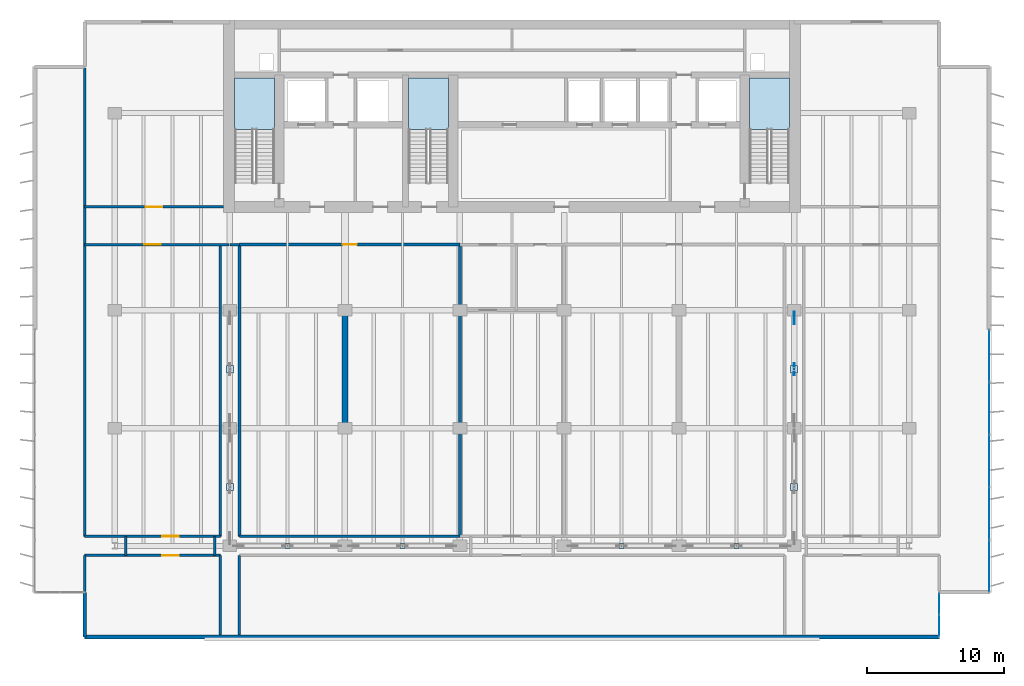
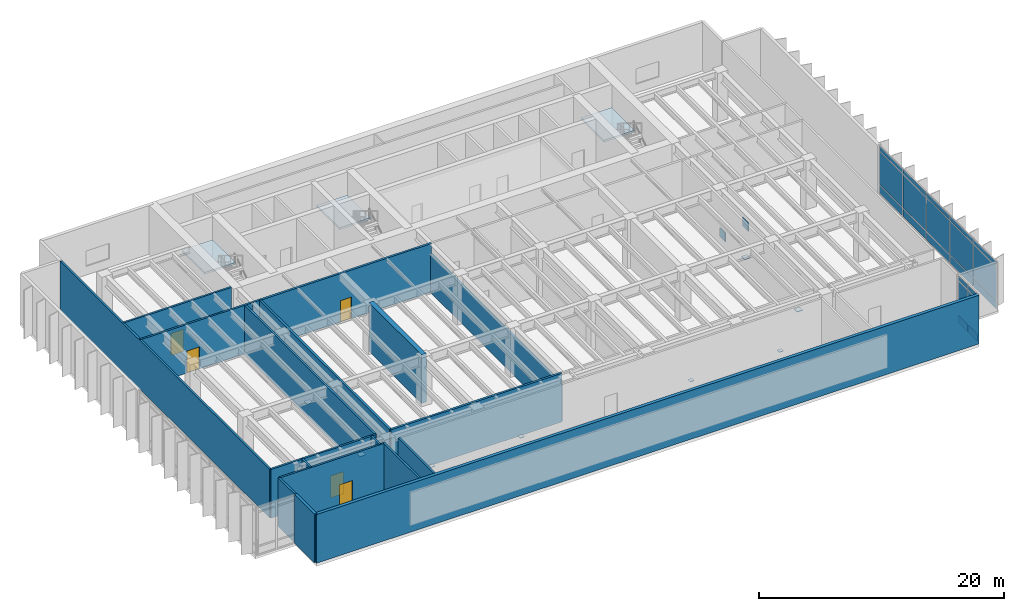
# One storey, part 12 of 18: 31 plates, 19 walls, 5 doors, 3 slabs, 5 openings, 5 elements without a shape of their own.
"""IFC4 building model written with IfcOpenShell, lengths in metres."""

from ifc_helpers import new_model, si_unit, direction, frame, frame_2d, origin, origin_2d, place, context, subcontext, project, spatial, polyline, rectangle, outline, extrude, material, layer, layer_set, type_object, element, fill, aggregate, save


model = new_model("IFC4")

# Units and contexts
model_context = context("Model", 3, precision=1e-05, world=origin(), true_north=direction((0.0, 1.0)))
body_context = subcontext(model_context, "Body", "Model", "MODEL_VIEW")
ifc_project = project(units=[si_unit("LENGTHUNIT", "METRE"), si_unit("AREAUNIT", "SQUARE_METRE"), si_unit("VOLUMEUNIT", "CUBIC_METRE"), si_unit("PLANEANGLEUNIT", "RADIAN"), si_unit("MASSUNIT", "GRAM", prefix="KILO")], contexts=[model_context])

# Site, building, storey
site_placement = place(None, origin())
site = spatial("IfcSite", under=ifc_project, at=site_placement, CompositionType="ELEMENT")
building_placement = place(site_placement, origin())
building = spatial("IfcBuilding", under=site, at=building_placement, Name="Caelmar Bay Residences", CompositionType="ELEMENT")
storey_placement = place(building_placement, frame((0.0, 0.0, 152.10009765625)))
storey = spatial("IfcBuildingStorey", under=building, at=storey_placement, Name="L42", CompositionType="ELEMENT", Elevation=152.10009765625)

# Curtain wall, plates
ifc_material_1 = material(Name="Anodised bronze aluminium 6063-T6 and laminated glass", Category="aluminium")
ifc_layer_1 = layer(ifc_material_1, 0.179931640625)
ifc_layer_set_1 = layer_set([ifc_layer_1], Name="Anodised bronze aluminium 6063-T6 and laminated glass")
curtain_wall_type_1 = type_object("IfcCurtainWallType", Name="CW6-NTC", PredefinedType="NOTDEFINED", material=ifc_layer_set_1)
curtain_wall_1_placement = place(storey_placement, origin())
curtain_wall_1 = element("IfcCurtainWall", 1, at=curtain_wall_1_placement, inside=storey, type_object=curtain_wall_type_1, Name="CW6 curtain wall L42", PredefinedType="NOTDEFINED")
ifc_material_2 = material(Name="Bronze-tinted laminated low-E hurricane glass 28 mm", Category="glass")
ifc_layer_2 = layer(ifc_material_2, 0.028076171875)
ifc_layer_set_2 = layer_set([ifc_layer_2], Name="Bronze-tinted laminated low-E hurricane glass 28 mm")
plate_type_1 = type_object("IfcPlateType", Name="CWP-GLZ28", PredefinedType="CURTAIN_PANEL", material=ifc_layer_set_2)
plate_1_placement = place(storey_placement, frame((70.10009765625, 6.382568359375, 0.080078125), z_axis=(0.0, 0.0, 1.0), x_axis=(0.0, 1.0, 0.0)))
plate_1 = element("IfcPlate", 2, at=plate_1_placement, type_object=plate_type_1, Name="CW6 panel 1.1", PredefinedType="CURTAIN_PANEL", context=body_context, shape_type="SweptSolid", body=[
    extrude(rectangle(XDim=1.5048828125, YDim=0.028076171875, at=origin_2d()), origin(), (0.0, 0.0, 1.0), 0.780029296875),
])
plate_2_placement = place(storey_placement, frame((70.10009765625, 6.382568359375, 0.93994140625), z_axis=(0.0, 0.0, 1.0), x_axis=(0.0, 1.0, 0.0)))
plate_2 = element("IfcPlate", 3, at=plate_2_placement, type_object=plate_type_1, Name="CW6 panel 1.2", PredefinedType="CURTAIN_PANEL", context=body_context, shape_type="SweptSolid", body=[
    extrude(rectangle(XDim=1.5048828125, YDim=0.028076171875, at=origin_2d()), origin(), (0.0, 0.0, 1.0), 3.320068359375),
])
plate_3_placement = place(storey_placement, frame((70.10009765625, 6.382568359375, 4.33984375), z_axis=(0.0, 0.0, 1.0), x_axis=(0.0, 1.0, 0.0)))
plate_3 = element("IfcPlate", 4, at=plate_3_placement, type_object=plate_type_1, Name="CW6 panel 1.3", PredefinedType="CURTAIN_PANEL", context=body_context, shape_type="SweptSolid", body=[
    extrude(rectangle(XDim=1.5048828125, YDim=0.028076171875, at=origin_2d()), origin(), (0.0, 0.0, 1.0), 0.429931640625),
])
plate_4_placement = place(storey_placement, frame((70.10009765625, 7.967529296875, 0.080078125), z_axis=(0.0, 0.0, 1.0), x_axis=(0.0, 1.0, 0.0)))
plate_4 = element("IfcPlate", 5, at=plate_4_placement, type_object=plate_type_1, Name="CW6 panel 2.1", PredefinedType="CURTAIN_PANEL", context=body_context, shape_type="SweptSolid", body=[
    extrude(rectangle(XDim=1.5048828125, YDim=0.028076171875, at=origin_2d()), origin(), (0.0, 0.0, 1.0), 0.780029296875),
])
plate_5_placement = place(storey_placement, frame((70.10009765625, 7.967529296875, 0.93994140625), z_axis=(0.0, 0.0, 1.0), x_axis=(0.0, 1.0, 0.0)))
plate_5 = element("IfcPlate", 6, at=plate_5_placement, type_object=plate_type_1, Name="CW6 panel 2.2", PredefinedType="CURTAIN_PANEL", context=body_context, shape_type="SweptSolid", body=[
    extrude(rectangle(XDim=1.5048828125, YDim=0.028076171875, at=origin_2d()), origin(), (0.0, 0.0, 1.0), 3.320068359375),
])
plate_6_placement = place(storey_placement, frame((70.10009765625, 7.967529296875, 4.33984375), z_axis=(0.0, 0.0, 1.0), x_axis=(0.0, 1.0, 0.0)))
plate_6 = element("IfcPlate", 7, at=plate_6_placement, type_object=plate_type_1, Name="CW6 panel 2.3", PredefinedType="CURTAIN_PANEL", context=body_context, shape_type="SweptSolid", body=[
    extrude(rectangle(XDim=1.5048828125, YDim=0.028076171875, at=origin_2d()), origin(), (0.0, 0.0, 1.0), 0.429931640625),
])
aggregate(curtain_wall_1, [plate_1, plate_2, plate_3, plate_4, plate_5, plate_6])

ifc_layer_3 = layer(ifc_material_1, 0.179931640625)
ifc_layer_set_3 = layer_set([ifc_layer_3], Name="Anodised bronze aluminium 6063-T6 and laminated glass")
curtain_wall_type_2 = type_object("IfcCurtainWallType", Name="CW3-Z2", PredefinedType="NOTDEFINED", material=ifc_layer_set_3)
curtain_wall_2_placement = place(storey_placement, origin())
curtain_wall_2 = element("IfcCurtainWall", 8, at=curtain_wall_2_placement, inside=storey, type_object=curtain_wall_type_2, Name="CW3 curtain wall L42", PredefinedType="NOTDEFINED")
plate_7_placement = place(storey_placement, frame((73.75, 26.06005859375, 0.080078125), z_axis=(0.0, 0.0, 1.0), x_axis=(0.0, -1.0, 0.0)))
plate_7 = element("IfcPlate", 9, at=plate_7_placement, type_object=plate_type_1, Name="CW3 panel 1.1", PredefinedType="CURTAIN_PANEL", context=body_context, shape_type="SweptSolid", body=[
    extrude(rectangle(XDim=3.719970703125, YDim=0.028076171875, at=origin_2d()), origin(), (0.0, 0.0, 1.0), 0.780029296875),
])
plate_8_placement = place(storey_placement, frame((73.75, 26.06005859375, 0.93994140625), z_axis=(0.0, 0.0, 1.0), x_axis=(0.0, -1.0, 0.0)))
plate_8 = element("IfcPlate", 10, at=plate_8_placement, type_object=plate_type_1, Name="CW3 panel 1.2", PredefinedType="CURTAIN_PANEL", context=body_context, shape_type="SweptSolid", body=[
    extrude(rectangle(XDim=3.719970703125, YDim=0.028076171875, at=origin_2d()), origin(), (0.0, 0.0, 1.0), 3.320068359375),
])
plate_9_placement = place(storey_placement, frame((73.75, 26.06005859375, 4.33984375), z_axis=(0.0, 0.0, 1.0), x_axis=(0.0, -1.0, 0.0)))
plate_9 = element("IfcPlate", 11, at=plate_9_placement, type_object=plate_type_1, Name="CW3 panel 1.3", PredefinedType="CURTAIN_PANEL", context=body_context, shape_type="SweptSolid", body=[
    extrude(rectangle(XDim=3.719970703125, YDim=0.028076171875, at=origin_2d()), origin(), (0.0, 0.0, 1.0), 0.429931640625),
])
plate_10_placement = place(storey_placement, frame((73.75, 22.239990234375, 0.080078125), z_axis=(0.0, 0.0, 1.0), x_axis=(0.0, -1.0, 0.0)))
plate_10 = element("IfcPlate", 12, at=plate_10_placement, type_object=plate_type_1, Name="CW3 panel 2.1", PredefinedType="CURTAIN_PANEL", context=body_context, shape_type="SweptSolid", body=[
    extrude(rectangle(XDim=3.760009765625, YDim=0.028076171875, at=origin_2d()), origin(), (0.0, 0.0, 1.0), 0.780029296875),
])
plate_11_placement = place(storey_placement, frame((73.75, 22.239990234375, 0.93994140625), z_axis=(0.0, 0.0, 1.0), x_axis=(0.0, -1.0, 0.0)))
plate_11 = element("IfcPlate", 13, at=plate_11_placement, type_object=plate_type_1, Name="CW3 panel 2.2", PredefinedType="CURTAIN_PANEL", context=body_context, shape_type="SweptSolid", body=[
    extrude(rectangle(XDim=3.760009765625, YDim=0.028076171875, at=origin_2d()), origin(), (0.0, 0.0, 1.0), 3.320068359375),
])
plate_12_placement = place(storey_placement, frame((73.75, 22.239990234375, 4.33984375), z_axis=(0.0, 0.0, 1.0), x_axis=(0.0, -1.0, 0.0)))
plate_12 = element("IfcPlate", 14, at=plate_12_placement, type_object=plate_type_1, Name="CW3 panel 2.3", PredefinedType="CURTAIN_PANEL", context=body_context, shape_type="SweptSolid", body=[
    extrude(rectangle(XDim=3.760009765625, YDim=0.028076171875, at=origin_2d()), origin(), (0.0, 0.0, 1.0), 0.429931640625),
])
plate_13_placement = place(storey_placement, frame((73.75, 18.39990234375, 0.080078125), z_axis=(0.0, 0.0, 1.0), x_axis=(0.0, -1.0, 0.0)))
plate_13 = element("IfcPlate", 15, at=plate_13_placement, type_object=plate_type_1, Name="CW3 panel 3.1", PredefinedType="CURTAIN_PANEL", context=body_context, shape_type="SweptSolid", body=[
    extrude(rectangle(XDim=3.760009765625, YDim=0.028076171875, at=origin_2d()), origin(), (0.0, 0.0, 1.0), 0.780029296875),
])
plate_14_placement = place(storey_placement, frame((73.75, 18.39990234375, 0.93994140625), z_axis=(0.0, 0.0, 1.0), x_axis=(0.0, -1.0, 0.0)))
plate_14 = element("IfcPlate", 16, at=plate_14_placement, type_object=plate_type_1, Name="CW3 panel 3.2", PredefinedType="CURTAIN_PANEL", context=body_context, shape_type="SweptSolid", body=[
    extrude(rectangle(XDim=3.760009765625, YDim=0.028076171875, at=origin_2d()), origin(), (0.0, 0.0, 1.0), 3.320068359375),
])
plate_15_placement = place(storey_placement, frame((73.75, 18.39990234375, 4.33984375), z_axis=(0.0, 0.0, 1.0), x_axis=(0.0, -1.0, 0.0)))
plate_15 = element("IfcPlate", 17, at=plate_15_placement, type_object=plate_type_1, Name="CW3 panel 3.3", PredefinedType="CURTAIN_PANEL", context=body_context, shape_type="SweptSolid", body=[
    extrude(rectangle(XDim=3.760009765625, YDim=0.028076171875, at=origin_2d()), origin(), (0.0, 0.0, 1.0), 0.429931640625),
])
plate_16_placement = place(storey_placement, frame((73.75, 14.56005859375, 0.080078125), z_axis=(0.0, 0.0, 1.0), x_axis=(0.0, -1.0, 0.0)))
plate_16 = element("IfcPlate", 18, at=plate_16_placement, type_object=plate_type_1, Name="CW3 panel 4.1", PredefinedType="CURTAIN_PANEL", context=body_context, shape_type="SweptSolid", body=[
    extrude(rectangle(XDim=3.760009765625, YDim=0.028076171875, at=origin_2d()), origin(), (0.0, 0.0, 1.0), 0.780029296875),
])
plate_17_placement = place(storey_placement, frame((73.75, 14.56005859375, 0.93994140625), z_axis=(0.0, 0.0, 1.0), x_axis=(0.0, -1.0, 0.0)))
plate_17 = element("IfcPlate", 19, at=plate_17_placement, type_object=plate_type_1, Name="CW3 panel 4.2", PredefinedType="CURTAIN_PANEL", context=body_context, shape_type="SweptSolid", body=[
    extrude(rectangle(XDim=3.760009765625, YDim=0.028076171875, at=origin_2d()), origin(), (0.0, 0.0, 1.0), 3.320068359375),
])
plate_18_placement = place(storey_placement, frame((73.75, 14.56005859375, 4.33984375), z_axis=(0.0, 0.0, 1.0), x_axis=(0.0, -1.0, 0.0)))
plate_18 = element("IfcPlate", 20, at=plate_18_placement, type_object=plate_type_1, Name="CW3 panel 4.3", PredefinedType="CURTAIN_PANEL", context=body_context, shape_type="SweptSolid", body=[
    extrude(rectangle(XDim=3.760009765625, YDim=0.028076171875, at=origin_2d()), origin(), (0.0, 0.0, 1.0), 0.429931640625),
])
plate_19_placement = place(storey_placement, frame((73.75, 10.739990234375, 0.080078125), z_axis=(0.0, 0.0, 1.0), x_axis=(0.0, -1.0, 0.0)))
plate_19 = element("IfcPlate", 21, at=plate_19_placement, type_object=plate_type_1, Name="CW3 panel 5.1", PredefinedType="CURTAIN_PANEL", context=body_context, shape_type="SweptSolid", body=[
    extrude(rectangle(XDim=3.719970703125, YDim=0.028076171875, at=origin_2d()), origin(), (0.0, 0.0, 1.0), 0.780029296875),
])
plate_20_placement = place(storey_placement, frame((73.75, 10.739990234375, 0.93994140625), z_axis=(0.0, 0.0, 1.0), x_axis=(0.0, -1.0, 0.0)))
plate_20 = element("IfcPlate", 22, at=plate_20_placement, type_object=plate_type_1, Name="CW3 panel 5.2", PredefinedType="CURTAIN_PANEL", context=body_context, shape_type="SweptSolid", body=[
    extrude(rectangle(XDim=3.719970703125, YDim=0.028076171875, at=origin_2d()), origin(), (0.0, 0.0, 1.0), 3.320068359375),
])
plate_21_placement = place(storey_placement, frame((73.75, 10.739990234375, 4.33984375), z_axis=(0.0, 0.0, 1.0), x_axis=(0.0, -1.0, 0.0)))
plate_21 = element("IfcPlate", 23, at=plate_21_placement, type_object=plate_type_1, Name="CW3 panel 5.3", PredefinedType="CURTAIN_PANEL", context=body_context, shape_type="SweptSolid", body=[
    extrude(rectangle(XDim=3.719970703125, YDim=0.028076171875, at=origin_2d()), origin(), (0.0, 0.0, 1.0), 0.429931640625),
])
aggregate(curtain_wall_2, [plate_7, plate_8, plate_9, plate_10, plate_11, plate_12, plate_13, plate_14, plate_15, plate_16, plate_17, plate_18, plate_19, plate_20, plate_21])

# Plates
ifc_material_3 = material(Name="Steel ASTM A572 Grade 50", Category="steel")
ifc_layer_4 = layer(ifc_material_3, 0.044921875)
ifc_layer_set_4 = layer_set([ifc_layer_4], Name="Steel ASTM A572 Grade 50")
plate_type_2 = type_object("IfcPlateType", Name="PLT-CAP-45", PredefinedType="USERDEFINED", material=ifc_layer_set_4)
for number, where, z_axis, x_axis, name in (
    (24, (22.5, 12.199951171875, 0.37646484375), (0.0, 0.0, 1.0), (1.0, 0.0, 0.0), "L42 Hollow-Section End-Cap Plate PLT-BLT-L42-01B"),
    (25, (30.89990234375, 12.199951171875, 0.37646484375), (0.0, 0.0, 1.0), (1.0, 0.0, 0.0), "L42 Hollow-Section End-Cap Plate PLT-BLT-L42-02B"),
    (26, (46.89990234375, 12.199951171875, 0.37646484375), (0.0, 0.0, 1.0), (1.0, 0.0, 0.0), "L42 Hollow-Section End-Cap Plate PLT-BLT-L42-03B"),
    (27, (55.300048828125, 12.199951171875, 0.37646484375), (0.0, 0.0, 1.0), (1.0, 0.0, 0.0), "L42 Hollow-Section End-Cap Plate PLT-BLT-L42-04B"),
):
    element("IfcPlate", number, at=place(storey_placement, frame(where, z_axis=z_axis, x_axis=x_axis)), inside=storey, type_object=plate_type_2, Name=name, ObjectType="CAP_PLATE", PredefinedType="USERDEFINED", context=body_context, shape_type="SweptSolid", body=[
        extrude(rectangle(XDim=0.3798828125, YDim=0.3798828125, at=origin_2d()), origin(), (0.0, 0.0, 1.0), 0.044921875),
    ])
ifc_layer_5 = layer(ifc_material_3, 0.050048828125)
ifc_layer_set_5 = layer_set([ifc_layer_5], Name="Steel ASTM A572 Grade 50")
plate_type_3 = type_object("IfcPlateType", Name="PLT-CAP-50", PredefinedType="USERDEFINED", material=ifc_layer_set_5)
for number, where, z_axis, x_axis, name in (
    (28, (18.300048828125, 16.5, 0.3740234375), (0.0, 0.0, 1.0), (1.0, 0.0, 0.0), "L42 Hollow-Section End-Cap Plate PLT-OUT-L42-01B"),
    (29, (18.300048828125, 25.10009765625, 0.3740234375), (0.0, 0.0, 1.0), (1.0, 0.0, 0.0), "L42 Hollow-Section End-Cap Plate PLT-OUT-L42-02B"),
    (30, (59.5, 16.5, 0.3740234375), (0.0, 0.0, 1.0), (1.0, 0.0, 0.0), "L42 Hollow-Section End-Cap Plate PLT-OUT-L42-03B"),
    (31, (59.5, 25.10009765625, 0.3740234375), (0.0, 0.0, 1.0), (1.0, 0.0, 0.0), "L42 Hollow-Section End-Cap Plate PLT-OUT-L42-04B"),
):
    element("IfcPlate", number, at=place(storey_placement, frame(where, z_axis=z_axis, x_axis=x_axis)), inside=storey, type_object=plate_type_3, Name=name, ObjectType="CAP_PLATE", PredefinedType="USERDEFINED", context=body_context, shape_type="SweptSolid", body=[
        extrude(rectangle(XDim=0.52001953125, YDim=0.52001953125, at=origin_2d()), origin(), (0.0, 0.0, 1.0), 0.050048828125),
    ])
ifc_layer_6 = layer(ifc_material_3, 0.06005859375)
ifc_layer_set_6 = layer_set([ifc_layer_6], Name="Steel ASTM A572 Grade 50")
plate_type_4 = type_object("IfcPlateType", Name="PLT-GUS-60", PredefinedType="USERDEFINED", material=ifc_layer_set_6)
for number, where, z_axis, x_axis, name in (
    (32, (59.5, 28.844970703125, -0.070068359375), (0.0, 0.0, 1.0), (0.0, 1.0, 0.0), "L42 Structural Node Gusset Plate PLT-OUT-L42-04N"),
    (33, (59.5, 25.10009765625, 3.23388671875), (0.0, 0.0, 1.0), (0.0, 1.0, 0.0), "L42 Structural Node Gusset Plate PLT-OUT-L42-04T"),
):
    element("IfcPlate", number, at=place(storey_placement, frame(where, z_axis=z_axis, x_axis=x_axis)), inside=storey, type_object=plate_type_4, Name=name, ObjectType="GUSSET_PLATE", PredefinedType="USERDEFINED", context=body_context, shape_type="SweptSolid", body=[
        extrude(rectangle(XDim=0.89990234375, YDim=0.06005859375, at=origin_2d()), origin(), (0.0, 0.0, 1.0), 0.89990234375),
    ])

# Stair, slab
ifc_material_4 = material(Name="Concrete f'c 40 MPa (6,000 psi)", Category="concrete")
stair_type = type_object("IfcStairType", Name="ST-TAL-170", PredefinedType="HALF_TURN_STAIR", material=ifc_material_4)
stair_1_placement = place(storey_placement, origin())
stair_1 = element("IfcStair", 34, at=stair_1_placement, inside=storey, type_object=stair_type, Name="L42 West Smokeproof Exit Stair ST1", PredefinedType="HALF_TURN_STAIR")
ifc_layer_7 = layer(ifc_material_4, 0.199951171875)
ifc_layer_set_7 = layer_set([ifc_layer_7], Name="Concrete f'c 40 MPa (6,000 psi)")
slab_type = type_object("IfcSlabType", Name="SLB-LND-200", PredefinedType="LANDING", material=ifc_layer_set_7)
slab_1_placement = place(storey_placement, frame((0.0, 0.0, 2.349853515625)))
slab_1 = element("IfcSlab", 35, at=slab_1_placement, type_object=slab_type, Name="ST1 landing 1", PredefinedType="LANDING", context=body_context, shape_type="SweptSolid", body=[
    extrude(outline(polyline([(21.550048828125, 42.6201171875), (21.550048828125, 46.35009765625), (18.64990234375, 46.35009765625), (18.64990234375, 42.6201171875), (21.550048828125, 42.6201171875)])), origin(), (0.0, 0.0, 1.0), 0.199951171875),
])
aggregate(stair_1, [slab_1])

stair_2_placement = place(storey_placement, origin())
stair_2 = element("IfcStair", 36, at=stair_2_placement, inside=storey, type_object=stair_type, Name="L42 East Smokeproof Exit Stair ST2", PredefinedType="HALF_TURN_STAIR")
slab_2_placement = place(storey_placement, frame((0.0, 0.0, 2.349853515625)))
slab_2 = element("IfcSlab", 37, at=slab_2_placement, type_object=slab_type, Name="ST2 landing 1", PredefinedType="LANDING", context=body_context, shape_type="SweptSolid", body=[
    extrude(outline(polyline([(59.14990234375, 42.6201171875), (59.14990234375, 46.35009765625), (56.25, 46.35009765625), (56.25, 42.6201171875), (59.14990234375, 42.6201171875)])), origin(), (0.0, 0.0, 1.0), 0.199951171875),
])
aggregate(stair_2, [slab_2])

stair_3_placement = place(storey_placement, origin())
stair_3 = element("IfcStair", 38, at=stair_3_placement, inside=storey, type_object=stair_type, Name="L42 Central Smokeproof Exit Stair ST3", PredefinedType="HALF_TURN_STAIR")
slab_3_placement = place(storey_placement, frame((0.0, 0.0, 2.349853515625)))
slab_3 = element("IfcSlab", 39, at=slab_3_placement, type_object=slab_type, Name="ST3 landing 1", PredefinedType="LANDING", context=body_context, shape_type="SweptSolid", body=[
    extrude(outline(polyline([(34.25, 42.6201171875), (34.25, 46.35009765625), (31.35009765625, 46.35009765625), (31.35009765625, 42.6201171875), (34.25, 42.6201171875)])), origin(), (0.0, 0.0, 1.0), 0.199951171875),
])
aggregate(stair_3, [slab_3])

# Walls
ifc_material_5 = material(Name="Concrete f'c 55 MPa (8,000 psi)", Category="concrete")
ifc_layer_8 = layer(ifc_material_5, 0.449951171875)
ifc_layer_set_8 = layer_set([ifc_layer_8], Name="Concrete f'c 55 MPa (8,000 psi)")
wall_type_1 = type_object("IfcWallType", Name="SW-XSLB-450", PredefinedType="SHEAR", material=ifc_layer_set_8)
wall_1_placement = place(storey_placement, frame((26.699951171875, 20.800048828125, 0.0), z_axis=(0.0, 0.0, 1.0), x_axis=(0.0, 1.0, 0.0)))
element("IfcWall", 40, at=wall_1_placement, inside=storey, type_object=wall_type_1, Name="L42 Transverse Cross-Slab Shear Wall W5", PredefinedType="SHEAR", context=body_context, shape_type="SweptSolid", body=[
    extrude(rectangle(XDim=8.599853515625, YDim=0.449951171875, at=frame_2d((4.2998046875, 0.0))), origin(), (0.0, 0.0, 1.0), 4.849853515625),
])
ifc_material_6 = material(Name="Double-stud acoustic fire-rated gypsum partition 180 mm")
ifc_layer_9 = layer(ifc_material_6, 0.179931640625)
ifc_layer_set_9 = layer_set([ifc_layer_9], Name="Double-stud acoustic fire-rated gypsum partition 180 mm")
wall_type_2 = type_object("IfcWallType", Name="W-COR-200", PredefinedType="PARTITIONING", material=ifc_layer_set_9)
wall_2_placement = place(storey_placement, frame((7.699951171875, 8.885009765625, 0.0), z_axis=(0.0, 0.0, 1.0), x_axis=(0.0, 1.0, 0.0)))
element("IfcWall", 41, at=wall_2_placement, inside=storey, type_object=wall_type_2, Name="L42 Partition Wall V001", PredefinedType="PARTITIONING", context=body_context, shape_type="SweptSolid", body=[
    extrude(rectangle(XDim=2.614990234375, YDim=0.179931640625, at=frame_2d((1.3076171875, 0.0))), origin(), (0.0, 0.0, 1.0), 4.849853515625),
])
wall_3_placement = place(storey_placement, frame((7.699951171875, 12.89990234375, 0.0), z_axis=(0.0, 0.0, 1.0), x_axis=(0.0, 1.0, 0.0)))
element("IfcWall", 42, at=wall_3_placement, inside=storey, type_object=wall_type_2, Name="L42 Partition Wall V002", PredefinedType="PARTITIONING", context=body_context, shape_type="SweptSolid", body=[
    extrude(rectangle(XDim=34.18017578125, YDim=0.179931640625, at=frame_2d((17.090087890625, 0.0))), origin(), (0.0, 0.0, 1.0), 4.849853515625),
])
for number, where, z_axis, x_axis, name in (
    (43, (10.699951171875, 11.5, 0.0), (0.0, 0.0, 1.0), (0.0, 1.0, 0.0), "L42 Partition Wall V003"),
    (44, (17.199951171875, 11.5, 0.0), (0.0, 0.0, 1.0), (0.0, 1.0, 0.0), "L42 Partition Wall V004"),
):
    element("IfcWall", number, at=place(storey_placement, frame(where, z_axis=z_axis, x_axis=x_axis)), inside=storey, type_object=wall_type_2, Name=name, PredefinedType="PARTITIONING", context=body_context, shape_type="SweptSolid", body=[
        extrude(rectangle(XDim=1.39990234375, YDim=0.179931640625, at=frame_2d((0.699951171875, 0.0))), origin(), (0.0, 0.0, 1.0), 4.849853515625),
    ])
wall_4_placement = place(storey_placement, frame((17.60009765625, 5.695068359375, 0.0), z_axis=(0.0, 0.0, 1.0), x_axis=(0.0, 1.0, 0.0)))
element("IfcWall", 45, at=wall_4_placement, inside=storey, type_object=wall_type_2, Name="L42 Partition Wall V005", PredefinedType="PARTITIONING", context=body_context, shape_type="SweptSolid", body=[
    extrude(rectangle(XDim=5.804931640625, YDim=0.179931640625, at=frame_2d((2.90234375, 0.0))), origin(), (0.0, 0.0, 1.0), 4.849853515625),
])
wall_5_placement = place(storey_placement, frame((17.60009765625, 12.89990234375, 0.0), z_axis=(0.0, 0.0, 1.0), x_axis=(0.0, 1.0, 0.0)))
element("IfcWall", 46, at=wall_5_placement, inside=storey, type_object=wall_type_2, Name="L42 Partition Wall V006", PredefinedType="PARTITIONING", context=body_context, shape_type="SweptSolid", body=[
    extrude(rectangle(XDim=21.300048828125, YDim=0.179931640625, at=frame_2d((10.64990234375, 0.0))), origin(), (0.0, 0.0, 1.0), 4.849853515625),
])
wall_6_placement = place(storey_placement, frame((19.0, 5.695068359375, 0.0), z_axis=(0.0, 0.0, 1.0), x_axis=(0.0, 1.0, 0.0)))
element("IfcWall", 47, at=wall_6_placement, inside=storey, type_object=wall_type_2, Name="L42 Partition Wall V007", PredefinedType="PARTITIONING", context=body_context, shape_type="SweptSolid", body=[
    extrude(rectangle(XDim=5.804931640625, YDim=0.179931640625, at=frame_2d((2.90234375, 0.0))), origin(), (0.0, 0.0, 1.0), 4.849853515625),
])

# Wall, opening, door
wall_7_placement = place(storey_placement, frame((7.699951171875, 11.5, 0.0), z_axis=(0.0, 0.0, 1.0), x_axis=(1.0, 0.0, 0.0)))
wall_7 = element("IfcWall", 48, at=wall_7_placement, inside=storey, type_object=wall_type_2, Name="L42 Partition Wall H034", PredefinedType="PARTITIONING", context=body_context, shape_type="SweptSolid", body=[
    extrude(rectangle(XDim=9.900146484375, YDim=0.179931640625, at=frame_2d((4.9501953125, 0.0))), origin(), (0.0, 0.0, 1.0), 4.849853515625),
])
opening_1_placement = place(wall_7_placement, frame((5.64990234375, 0.0, 0.0)))
opening_1 = element("IfcOpeningElement", 49, at=opening_1_placement, cuts=wall_7, Name="Opening D-L42-131", PredefinedType="OPENING", context=body_context, shape_type="SweptSolid", body=[
    extrude(rectangle(XDim=1.199951171875, YDim=2.199951171875, at=frame_2d((0.60009765625, 1.10009765625))), frame((0.0, 0.099853515625, 0.0), z_axis=(0.0, -1.0, 0.0), x_axis=(1.0, 0.0, 0.0)), (0.0, 0.0, 1.0), 0.199951171875),
])
ifc_material_7 = material(Name="Fire-rated steel and walnut architectural door assembly", Category="steel")
ifc_layer_10 = layer(ifc_material_7, 0.050048828125)
ifc_layer_set_10 = layer_set([ifc_layer_10], Name="Fire-rated steel and walnut architectural door assembly")
door_type_1 = type_object("IfcDoorType", Name="D-PLANT-1200", OperationType="NOTDEFINED", PredefinedType="DOOR", material=ifc_layer_set_10)
door_1_placement = place(opening_1_placement, origin())
door_1 = element("IfcDoor", 50, at=door_1_placement, inside=storey, type_object=door_type_1, Name="L42 West Intake Plenum Plant Room L42 Door", OperationType="SINGLE_SWING_LEFT", OverallHeight=2.199951171875, OverallWidth=1.199951171875, PredefinedType="DOOR", context=body_context, shape_type="SweptSolid", body=[
    extrude(rectangle(XDim=1.199951171875, YDim=2.199951171875, at=frame_2d((0.60009765625, 1.10009765625))), frame((0.0, 0.02490234375, 0.0), z_axis=(0.0, -1.0, 0.0), x_axis=(1.0, 0.0, 0.0)), (0.0, 0.0, 1.0), 0.050048828125),
])
fill(opening_1, door_1)

wall_8_placement = place(storey_placement, frame((7.699951171875, 12.89990234375, 0.0), z_axis=(0.0, 0.0, 1.0), x_axis=(1.0, 0.0, 0.0)))
wall_8 = element("IfcWall", 51, at=wall_8_placement, inside=storey, type_object=wall_type_2, Name="L42 Partition Wall H037", PredefinedType="PARTITIONING", context=body_context, shape_type="SweptSolid", body=[
    extrude(rectangle(XDim=9.900146484375, YDim=0.179931640625, at=frame_2d((4.9501953125, 0.0))), origin(), (0.0, 0.0, 1.0), 4.849853515625),
])
opening_2_placement = place(wall_8_placement, frame((5.64990234375, 0.0, 0.0)))
opening_2 = element("IfcOpeningElement", 52, at=opening_2_placement, cuts=wall_8, Name="Opening D-L42-130", PredefinedType="OPENING", context=body_context, shape_type="SweptSolid", body=[
    extrude(rectangle(XDim=1.199951171875, YDim=2.199951171875, at=frame_2d((0.60009765625, 1.10009765625))), frame((0.0, 0.099853515625, 0.0), z_axis=(0.0, -1.0, 0.0), x_axis=(1.0, 0.0, 0.0)), (0.0, 0.0, 1.0), 0.199951171875),
])
door_2_placement = place(opening_2_placement, origin())
door_2 = element("IfcDoor", 53, at=door_2_placement, inside=storey, type_object=door_type_1, Name="L42 West Intake Duct Plant Room L42 Door", OperationType="SINGLE_SWING_RIGHT", OverallHeight=2.199951171875, OverallWidth=1.199951171875, PredefinedType="DOOR", context=body_context, shape_type="SweptSolid", body=[
    extrude(rectangle(XDim=1.199951171875, YDim=2.199951171875, at=frame_2d((0.60009765625, 1.10009765625))), frame((0.0, 0.02490234375, 0.0), z_axis=(0.0, -1.0, 0.0), x_axis=(1.0, 0.0, 0.0)), (0.0, 0.0, 1.0), 0.050048828125),
])
fill(opening_2, door_2)

wall_9_placement = place(storey_placement, frame((7.699951171875, 34.199951171875, 0.0), z_axis=(0.0, 0.0, 1.0), x_axis=(1.0, 0.0, 0.0)))
wall_9 = element("IfcWall", 54, at=wall_9_placement, inside=storey, type_object=wall_type_2, Name="L42 Partition Wall H043", PredefinedType="PARTITIONING", context=body_context, shape_type="SweptSolid", body=[
    extrude(rectangle(XDim=10.550048828125, YDim=0.179931640625, at=frame_2d((5.27490234375, 0.0))), origin(), (0.0, 0.0, 1.0), 4.849853515625),
])
opening_3_placement = place(wall_9_placement, frame((4.35009765625, 0.0, 0.0)))
opening_3 = element("IfcOpeningElement", 55, at=opening_3_placement, cuts=wall_9, Name="Opening D-L42-119", PredefinedType="OPENING", context=body_context, shape_type="SweptSolid", body=[
    extrude(rectangle(XDim=1.199951171875, YDim=2.199951171875, at=frame_2d((0.60009765625, 1.10009765625))), frame((0.0, 0.099853515625, 0.0), z_axis=(0.0, -1.0, 0.0), x_axis=(1.0, 0.0, 0.0)), (0.0, 0.0, 1.0), 0.199951171875),
])
door_3_placement = place(opening_3_placement, origin())
door_3 = element("IfcDoor", 56, at=door_3_placement, inside=storey, type_object=door_type_1, Name="L42 DOAS Air Handling Plant Room L42 Door", OperationType="SINGLE_SWING_LEFT", OverallHeight=2.199951171875, OverallWidth=1.199951171875, PredefinedType="DOOR", context=body_context, shape_type="SweptSolid", body=[
    extrude(rectangle(XDim=1.199951171875, YDim=2.199951171875, at=frame_2d((0.60009765625, 1.10009765625))), frame((0.0, 0.02490234375, 0.0), z_axis=(0.0, -1.0, 0.0), x_axis=(1.0, 0.0, 0.0)), (0.0, 0.0, 1.0), 0.050048828125),
])
fill(opening_3, door_3)

# Wall
wall_10_placement = place(storey_placement, frame((18.300048828125, 34.199951171875, 0.0), z_axis=(0.0, 0.0, 1.0), x_axis=(1.0, 0.0, 0.0)))
element("IfcWall", 57, at=wall_10_placement, inside=storey, type_object=wall_type_2, Name="L42 Partition Wall H044", PredefinedType="PARTITIONING", context=body_context, shape_type="SweptSolid", body=[
    extrude(rectangle(XDim=0.699951171875, YDim=0.179931640625, at=frame_2d((0.35009765625, 0.0))), origin(), (0.0, 0.0, 1.0), 4.849853515625),
])

# Wall, opening, door
wall_11_placement = place(storey_placement, frame((7.699951171875, 36.949951171875, 0.0), z_axis=(0.0, 0.0, 1.0), x_axis=(1.0, 0.0, 0.0)))
wall_11 = element("IfcWall", 58, at=wall_11_placement, inside=storey, type_object=wall_type_2, Name="L42 Partition Wall H050", PredefinedType="PARTITIONING", context=body_context, shape_type="SweptSolid", body=[
    extrude(rectangle(XDim=10.14501953125, YDim=0.179931640625, at=frame_2d((5.072509765625, 0.0))), origin(), (0.0, 0.0, 1.0), 4.849853515625),
])
opening_4_placement = place(wall_11_placement, frame((4.472412109375, 0.0, 0.0)))
opening_4 = element("IfcOpeningElement", 59, at=opening_4_placement, cuts=wall_11, Name="Opening D-L42-125", PredefinedType="OPENING", context=body_context, shape_type="SweptSolid", body=[
    extrude(rectangle(XDim=1.199951171875, YDim=2.199951171875, at=frame_2d((0.60009765625, 1.10009765625))), frame((0.0, 0.099853515625, 0.0), z_axis=(0.0, -1.0, 0.0), x_axis=(1.0, 0.0, 0.0)), (0.0, 0.0, 1.0), 0.199951171875),
])
door_4_placement = place(opening_4_placement, origin())
door_4 = element("IfcDoor", 60, at=door_4_placement, inside=storey, type_object=door_type_1, Name="L42 North Exhaust Plant Room L42 Door", OperationType="SINGLE_SWING_LEFT", OverallHeight=2.199951171875, OverallWidth=1.199951171875, PredefinedType="DOOR", context=body_context, shape_type="SweptSolid", body=[
    extrude(rectangle(XDim=1.199951171875, YDim=2.199951171875, at=frame_2d((0.60009765625, 1.10009765625))), frame((0.0, 0.02490234375, 0.0), z_axis=(0.0, -1.0, 0.0), x_axis=(1.0, 0.0, 0.0)), (0.0, 0.0, 1.0), 0.050048828125),
])
fill(opening_4, door_4)

# Walls
ifc_material_8 = material(Name="Precast concrete f'c 40 MPa (6,000 psi)", Category="concrete")
ifc_layer_11 = layer(ifc_material_8, 0.25)
ifc_layer_set_11 = layer_set([ifc_layer_11], Name="Precast concrete f'c 40 MPa (6,000 psi)")
wall_type_3 = type_object("IfcWallType", Name="W-EXT-250", PredefinedType="ELEMENTEDWALL", material=ifc_layer_set_11)
wall_12_placement = place(storey_placement, frame((7.699951171875, 8.800048828125, 0.0), z_axis=(0.0, 0.0, 1.0), x_axis=(0.0, -1.0, 0.0)))
element("IfcWall", 61, at=wall_12_placement, inside=storey, type_object=wall_type_3, Name="L42 SW Notch Return Wall", PredefinedType="ELEMENTEDWALL", context=body_context, shape_type="SweptSolid", body=[
    extrude(rectangle(XDim=3.25, YDim=0.25, at=frame_2d((1.625, 0.0))), origin(), (0.0, 0.0, 1.0), 4.849853515625),
])
ifc_layer_12 = layer(ifc_material_8, 0.300048828125)
ifc_layer_set_12 = layer_set([ifc_layer_12], Name="Precast concrete f'c 40 MPa (6,000 psi)")
wall_type_4 = type_object("IfcWallType", Name="W-EXT-300", PredefinedType="STANDARD", material=ifc_layer_set_12)
wall_13_placement = place(storey_placement, frame((70.10009765625, 5.550048828125, 0.0), z_axis=(0.0, 0.0, 1.0), x_axis=(-1.0, 0.0, 0.0)))
element("IfcWall", 62, at=wall_13_placement, inside=storey, type_object=wall_type_4, Name="L42 South Bayfront Exterior Wall", PredefinedType="STANDARD", context=body_context, shape_type="SweptSolid", body=[
    extrude(rectangle(XDim=62.400146484375, YDim=0.300048828125, at=frame_2d((31.2001953125, 0.0))), origin(), (0.0, 0.0, 1.0), 4.849853515625),
])
ifc_material_9 = material(Name="Fire-rated masonry and gypsum shaftliner assembly 200 mm", Category="masonry")
ifc_layer_13 = layer(ifc_material_9, 0.199951171875)
ifc_layer_set_13 = layer_set([ifc_layer_13], Name="Fire-rated masonry and gypsum shaftliner assembly 200 mm")
wall_type_5 = type_object("IfcWallType", Name="W-FSAE-200", PredefinedType="PARTITIONING", material=ifc_layer_set_13)
wall_14_placement = place(storey_placement, frame((19.0, 12.89990234375, 0.0), z_axis=(0.0, 0.0, 1.0), x_axis=(0.0, 1.0, 0.0)))
element("IfcWall", 63, at=wall_14_placement, inside=storey, type_object=wall_type_5, Name="L42 Partition Wall V008", PredefinedType="PARTITIONING", context=body_context, shape_type="SweptSolid", body=[
    extrude(rectangle(XDim=21.300048828125, YDim=0.199951171875, at=frame_2d((10.64990234375, 0.0))), origin(), (0.0, 0.0, 1.0), 4.849853515625),
])
wall_15_placement = place(storey_placement, frame((35.10009765625, 12.89990234375, 0.0), z_axis=(0.0, 0.0, 1.0), x_axis=(0.0, 1.0, 0.0)))
element("IfcWall", 64, at=wall_15_placement, inside=storey, type_object=wall_type_5, Name="L42 Partition Wall V013", PredefinedType="PARTITIONING", context=body_context, shape_type="SweptSolid", body=[
    extrude(rectangle(XDim=21.300048828125, YDim=0.199951171875, at=frame_2d((10.64990234375, 0.0))), origin(), (0.0, 0.0, 1.0), 3.81396484375),
])
wall_16_placement = place(storey_placement, frame((19.0, 12.89990234375, 0.0), z_axis=(0.0, 0.0, 1.0), x_axis=(1.0, 0.0, 0.0)))
element("IfcWall", 65, at=wall_16_placement, inside=storey, type_object=wall_type_5, Name="L42 Partition Wall H038", PredefinedType="PARTITIONING", context=body_context, shape_type="SweptSolid", body=[
    extrude(rectangle(XDim=16.10009765625, YDim=0.199951171875, at=frame_2d((8.050048828125, 0.0))), origin(), (0.0, 0.0, 1.0), 4.849853515625),
])

# Wall, opening, door
wall_17_placement = place(storey_placement, frame((19.0048828125, 34.199951171875, 0.0), z_axis=(0.0, 0.0, 1.0), x_axis=(1.0, 0.0, 0.0)))
wall_17 = element("IfcWall", 66, at=wall_17_placement, inside=storey, type_object=wall_type_5, Name="L42 Partition Wall H045", PredefinedType="PARTITIONING", context=body_context, shape_type="SweptSolid", body=[
    extrude(rectangle(XDim=16.09521484375, YDim=0.199951171875, at=frame_2d((8.047607421875, 0.0))), origin(), (0.0, 0.0, 1.0), 4.849853515625),
])
opening_5_placement = place(wall_17_placement, frame((7.5224609375, 0.0, 0.0)))
opening_5 = element("IfcOpeningElement", 67, at=opening_5_placement, cuts=wall_17, Name="Opening D-L42-120", PredefinedType="OPENING", context=body_context, shape_type="SweptSolid", body=[
    extrude(rectangle(XDim=1.050048828125, YDim=2.14990234375, at=frame_2d((0.52490234375, 1.074951171875))), frame((0.0, 0.10986328125, 0.0), z_axis=(0.0, -1.0, 0.0), x_axis=(1.0, 0.0, 0.0)), (0.0, 0.0, 1.0), 0.219970703125),
])
ifc_layer_14 = layer(ifc_material_7, 0.050048828125)
ifc_layer_set_14 = layer_set([ifc_layer_14], Name="Fire-rated steel and walnut architectural door assembly")
door_type_2 = type_object("IfcDoorType", Name="D-FSAE-1050", OperationType="NOTDEFINED", PredefinedType="DOOR", material=ifc_layer_set_14)
door_5_placement = place(opening_5_placement, origin())
door_5 = element("IfcDoor", 68, at=door_5_placement, inside=storey, type_object=door_type_2, Name="L42 West Area of Refuge L42 Door", OperationType="SINGLE_SWING_RIGHT", OverallHeight=2.14990234375, OverallWidth=1.050048828125, PredefinedType="DOOR", context=body_context, shape_type="SweptSolid", body=[
    extrude(rectangle(XDim=1.050048828125, YDim=2.14990234375, at=frame_2d((0.52490234375, 1.074951171875))), frame((0.0, 0.02490234375, 0.0), z_axis=(0.0, -1.0, 0.0), x_axis=(1.0, 0.0, 0.0)), (0.0, 0.0, 1.0), 0.050048828125),
])
fill(opening_5, door_5)

save(model, "model.ifc")
